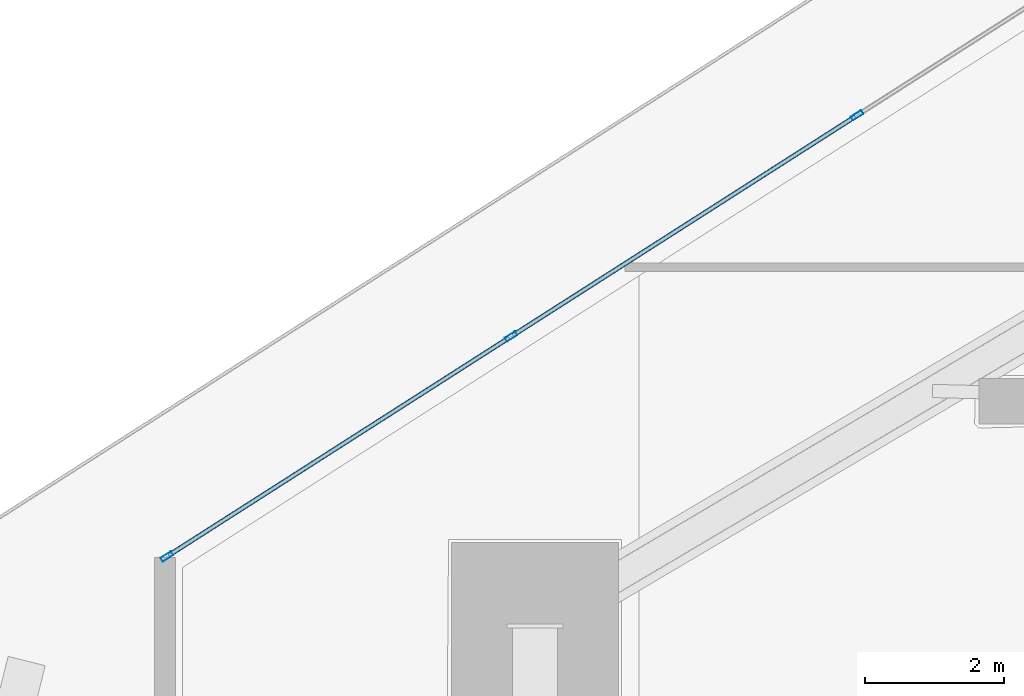
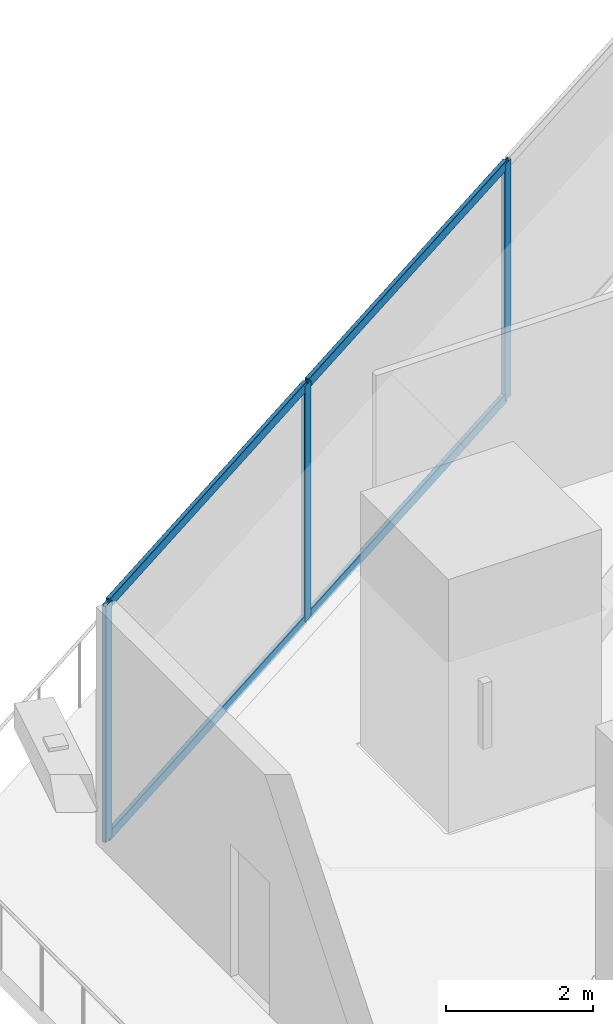
# One storey, part 12 of 45: 7 members, 1 element without a shape of its own.
"""IFC4 building model written with IfcOpenShell, lengths in metres."""

from ifc_helpers import new_model, si_unit, direction, frame, origin, origin_2d, place, context, subcontext, project, spatial, hollow_rectangle, extrude, material, layer, layer_set, material_profile, profile_set, type_object, element, aggregate, save


model = new_model("IFC4")

# Units and contexts
model_context = context("Model", 3, precision=1e-05, world=origin(), true_north=direction((0.0, 1.0)))
body_context = subcontext(model_context, "Body", "Model", "MODEL_VIEW")
ifc_project = project(units=[si_unit("LENGTHUNIT", "METRE"), si_unit("AREAUNIT", "SQUARE_METRE"), si_unit("VOLUMEUNIT", "CUBIC_METRE"), si_unit("PLANEANGLEUNIT", "RADIAN"), si_unit("MASSUNIT", "GRAM", prefix="KILO")], contexts=[model_context])

# Site, building, storey
site_placement = place(None, origin())
site = spatial("IfcSite", under=ifc_project, at=site_placement, CompositionType="ELEMENT")
building_placement = place(site_placement, origin())
building = spatial("IfcBuilding", under=site, at=building_placement, Name="Qorvath Tower", CompositionType="ELEMENT")
storey_placement = place(building_placement, frame((0.0, 0.0, 49.199951171875)))
storey = spatial("IfcBuildingStorey", under=building, at=storey_placement, Name="L10", CompositionType="ELEMENT", Elevation=49.199951171875)

# Curtain wall, members
ifc_material_1 = material(Name="Anodised aluminium and triple low-E glass", Category="aluminium")
ifc_layer = layer(ifc_material_1, 0.179931640625)
ifc_layer_set = layer_set([ifc_layer], Name="CW-SYS-2")
curtain_wall_type = type_object("IfcCurtainWallType", Name="CW-SYS-2", PredefinedType="NOTDEFINED", material=ifc_layer_set)
curtain_wall_placement = place(storey_placement, origin())
curtain_wall = element("IfcCurtainWall", 1, at=curtain_wall_placement, inside=storey, type_object=curtain_wall_type, Name="Curtain Wall CW-2 CW-T-L10-16.3", PredefinedType="NOTDEFINED")
ifc_material_2 = material(Name="Anodised aluminium 6063-T6", Category="aluminium")
ifc_material_profile_1 = material_profile(ifc_material_2, hollow_rectangle(XDim=0.06494140625, YDim=0.179931640625, WallThickness=0.00341796875, InnerFilletRadius=0.00341796875, OuterFilletRadius=0.007080078125, at=origin_2d()), Name="CWM 180x65")
ifc_profile_set_1 = profile_set([ifc_material_profile_1], Name="Anodised aluminium 6063-T6")
member_type_1 = type_object("IfcMemberType", Name="CWM-180", PredefinedType="MULLION", material=ifc_profile_set_1)
member_1_placement = place(storey_placement, frame((-50.65185546875, 10.534912109375, 0.0), z_axis=(0.0, 0.0, 1.0), x_axis=(0.538531853978, -0.842605152044, 0.0)))
member_1 = element("IfcMember", 2, at=member_1_placement, type_object=member_type_1, Name="CW-2 mullion 3", PredefinedType="MULLION", context=body_context, shape_type="SweptSolid", body=[
    extrude(hollow_rectangle(XDim=0.06494140625, YDim=0.179931640625, WallThickness=0.00341796875, InnerFilletRadius=0.00341796875, OuterFilletRadius=0.007080078125, at=origin_2d()), origin(), (0.0, 0.0, 1.0), 3.920166015625),
])
member_2_placement = place(storey_placement, frame((-55.62646484375, 7.35546875, 0.0), z_axis=(0.0, 0.0, 1.0), x_axis=(0.538531853978, -0.842605152044, 0.0)))
member_2 = element("IfcMember", 3, at=member_2_placement, type_object=member_type_1, Name="CW-2 mullion 4", PredefinedType="MULLION", context=body_context, shape_type="SweptSolid", body=[
    extrude(hollow_rectangle(XDim=0.06494140625, YDim=0.179931640625, WallThickness=0.00341796875, InnerFilletRadius=0.00341796875, OuterFilletRadius=0.007080078125, at=origin_2d()), origin(), (0.0, 0.0, 1.0), 3.920166015625),
])
member_3_placement = place(storey_placement, frame((-60.57373046875, 4.193603515625, 0.0), z_axis=(0.0, 0.0, 1.0), x_axis=(0.538531853978, -0.842605152044, 0.0)))
member_3 = element("IfcMember", 4, at=member_3_placement, type_object=member_type_1, Name="CW-2 mullion 5", PredefinedType="MULLION", context=body_context, shape_type="SweptSolid", body=[
    extrude(hollow_rectangle(XDim=0.06494140625, YDim=0.179931640625, WallThickness=0.00341796875, InnerFilletRadius=0.00341796875, OuterFilletRadius=0.007080078125, at=origin_2d()), origin(), (0.0, 0.0, 1.0), 3.920166015625),
])
ifc_material_3 = material(Name="Anodised aluminium 6063-T6", Category="aluminium")
ifc_material_profile_2 = material_profile(ifc_material_3, hollow_rectangle(XDim=0.06494140625, YDim=0.159912109375, WallThickness=0.00341796875, InnerFilletRadius=0.00341796875, OuterFilletRadius=0.007080078125, at=origin_2d()), Name="CWT 160x65")
ifc_profile_set_2 = profile_set([ifc_material_profile_2], Name="Anodised aluminium 6063-T6")
member_type_2 = type_object("IfcMemberType", Name="CWT-160", PredefinedType="USERDEFINED", material=ifc_profile_set_2)
member_4_placement = place(storey_placement, frame((-50.67919921875, 10.517333984375, 0.032470703125), z_axis=(-0.842618260885, -0.538511342891, 0.0), x_axis=(0.538511342891, -0.842618260885, 0.0)))
member_4 = element("IfcMember", 5, at=member_4_placement, type_object=member_type_2, Name="CW-2 transom 3.1", ObjectType="TRANSOM", PredefinedType="USERDEFINED", context=body_context, shape_type="SweptSolid", body=[
    extrude(hollow_rectangle(XDim=0.06494140625, YDim=0.159912109375, WallThickness=0.00341796875, InnerFilletRadius=0.00341796875, OuterFilletRadius=0.007080078125, at=origin_2d()), origin(), (0.0, 0.0, 1.0), 5.8388671875),
])
member_5_placement = place(storey_placement, frame((-50.67919921875, 10.517333984375, 3.8876953125), z_axis=(-0.842618260885, -0.538511342891, 0.0), x_axis=(0.538511342891, -0.842618260885, 0.0)))
member_5 = element("IfcMember", 6, at=member_5_placement, type_object=member_type_2, Name="CW-2 transom 3.2", ObjectType="TRANSOM", PredefinedType="USERDEFINED", context=body_context, shape_type="SweptSolid", body=[
    extrude(hollow_rectangle(XDim=0.06494140625, YDim=0.159912109375, WallThickness=0.00341796875, InnerFilletRadius=0.00341796875, OuterFilletRadius=0.007080078125, at=origin_2d()), origin(), (0.0, 0.0, 1.0), 5.8388671875),
])
member_6_placement = place(storey_placement, frame((-55.65380859375, 7.337890625, 0.032470703125), z_axis=(-0.842607225398, -0.538528609925, 0.0), x_axis=(0.538528609925, -0.842607225398, 0.0)))
member_6 = element("IfcMember", 7, at=member_6_placement, type_object=member_type_2, Name="CW-2 transom 4.1", ObjectType="TRANSOM", PredefinedType="USERDEFINED", context=body_context, shape_type="SweptSolid", body=[
    extrude(hollow_rectangle(XDim=0.06494140625, YDim=0.159912109375, WallThickness=0.00341796875, InnerFilletRadius=0.00341796875, OuterFilletRadius=0.007080078125, at=origin_2d()), origin(), (0.0, 0.0, 1.0), 5.806396484375),
])
member_7_placement = place(storey_placement, frame((-55.65380859375, 7.337890625, 3.8876953125), z_axis=(-0.842607225398, -0.538528609925, 0.0), x_axis=(0.538528609925, -0.842607225398, 0.0)))
member_7 = element("IfcMember", 8, at=member_7_placement, type_object=member_type_2, Name="CW-2 transom 4.2", ObjectType="TRANSOM", PredefinedType="USERDEFINED", context=body_context, shape_type="SweptSolid", body=[
    extrude(hollow_rectangle(XDim=0.06494140625, YDim=0.159912109375, WallThickness=0.00341796875, InnerFilletRadius=0.00341796875, OuterFilletRadius=0.007080078125, at=origin_2d()), origin(), (0.0, 0.0, 1.0), 5.806396484375),
])
aggregate(curtain_wall, [member_1, member_2, member_3, member_4, member_5, member_6, member_7])

save(model, "model.ifc")
